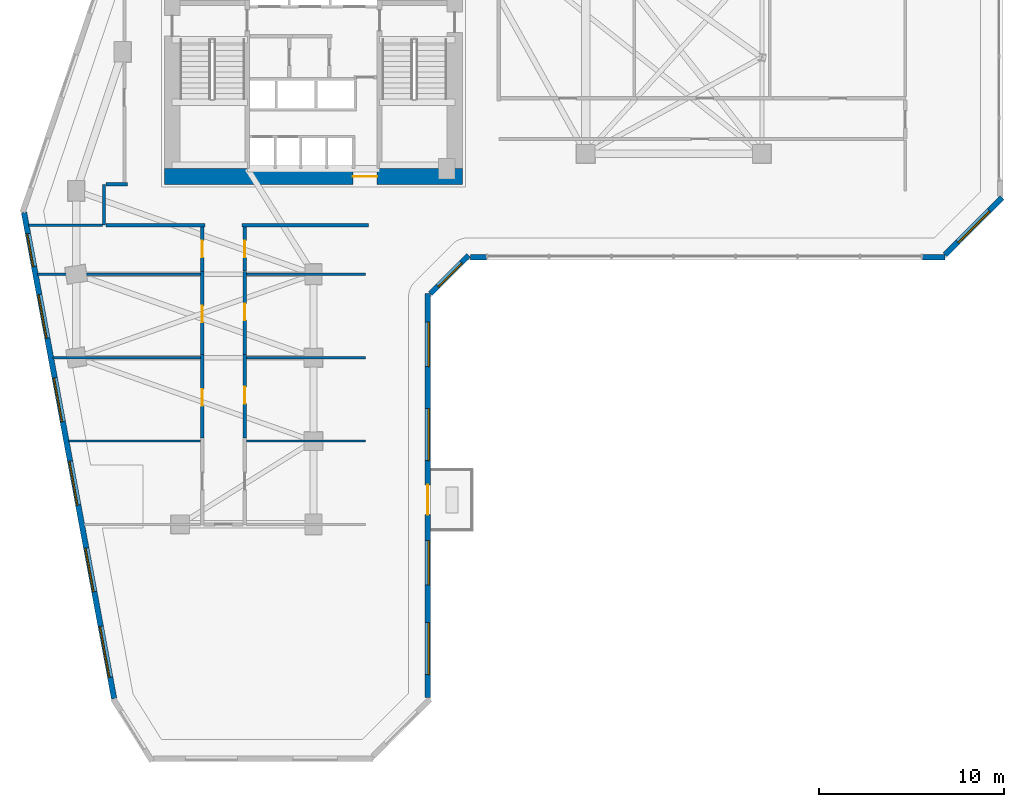
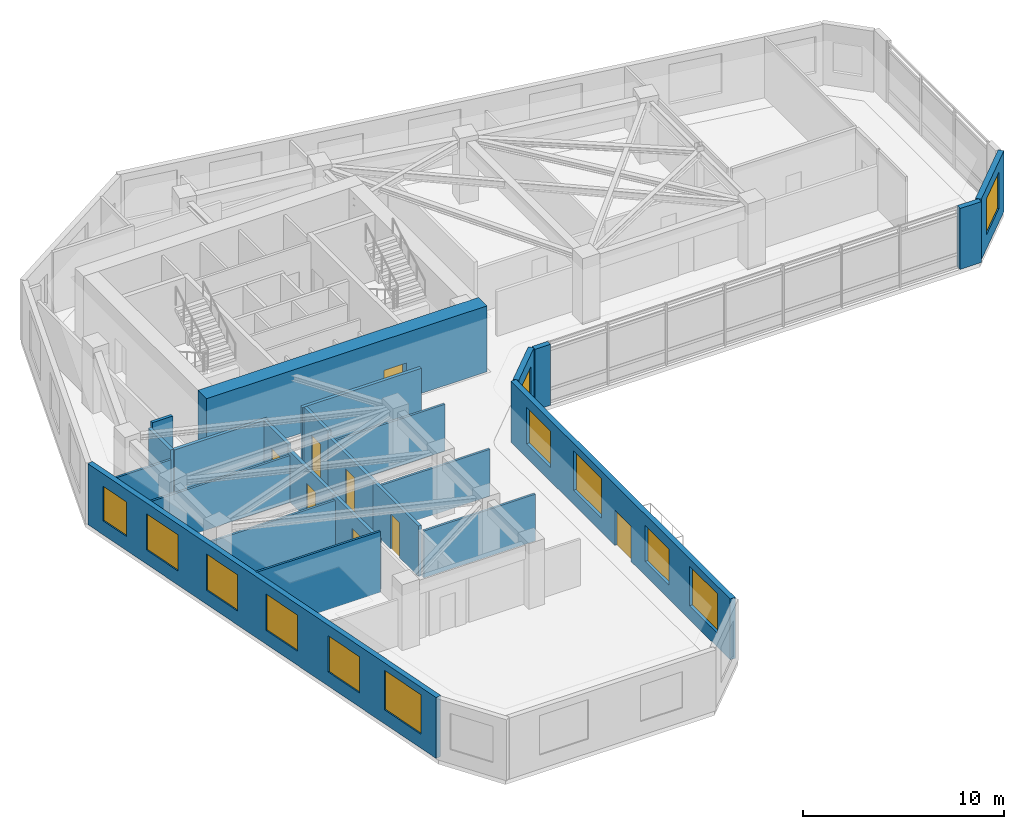
# One storey, part 6 of 11: 24 walls, 12 windows, 8 doors, 20 openings.
"""IFC4 building model written with IfcOpenShell, lengths in metres."""

from ifc_helpers import new_model, si_unit, direction, frame, frame_2d, origin, place, context, subcontext, project, spatial, rectangle, extrude, source, transform, mapped, material, layer, layer_set, type_object, element, fill, save


model = new_model("IFC4")

# Units and contexts
model_context = context("Model", 3, precision=1e-05, world=origin(), true_north=direction((0.0, 1.0)))
body_context = subcontext(model_context, "Body", "Model", "MODEL_VIEW")
ifc_project = project(units=[si_unit("LENGTHUNIT", "METRE"), si_unit("AREAUNIT", "SQUARE_METRE"), si_unit("VOLUMEUNIT", "CUBIC_METRE"), si_unit("PLANEANGLEUNIT", "RADIAN"), si_unit("MASSUNIT", "GRAM", prefix="KILO")], contexts=[model_context])

# Site, building, storey
site_placement = place(None, origin())
site = spatial("IfcSite", under=ifc_project, at=site_placement, CompositionType="ELEMENT")
building_placement = place(site_placement, origin())
building = spatial("IfcBuilding", under=site, at=building_placement, Name="Calvemar Wedge Station Tower", CompositionType="ELEMENT")
storey_placement = place(building_placement, frame((0.0, 0.0, 59.0)))
storey = spatial("IfcBuildingStorey", under=building, at=storey_placement, Name="L14", CompositionType="ELEMENT", Elevation=59.0)

# Wall, opening, door
ifc_material_1 = material(Name="Concrete C80", Category="concrete")
ifc_layer_1 = layer(ifc_material_1, 0.85009765625)
ifc_layer_set_1 = layer_set([ifc_layer_1], Name="Concrete C80")
wall_type_1 = type_object("IfcWallType", Name="SW-CORE-850", PredefinedType="SHEAR", material=ifc_layer_set_1)
wall_1_placement = place(storey_placement, frame((15.75, 33.77490234375, 0.0), z_axis=(0.0, 0.0, 1.0), x_axis=(1.0, 0.0, 0.0)))
wall_1 = element("IfcWall", 1, at=wall_1_placement, inside=storey, type_object=wall_type_1, Name="Storey L14 Core Shear Wall S", PredefinedType="SHEAR", context=body_context, shape_type="SweptSolid", body=[
    extrude(rectangle(XDim=16.10009765625, YDim=0.85009765625, at=frame_2d((8.050048828125, 0.0))), origin(), (0.0, 0.0, 1.0), 4.0),
])
shared_shape_1 = source(origin(), body_context, "Body", "SweptSolid", [
    extrude(rectangle(XDim=1.300048828125, YDim=2.14990234375, at=frame_2d((0.64990234375, 1.074951171875))), frame((0.0, 0.43505859375, 0.0), z_axis=(0.0, -1.0, 0.0), x_axis=(1.0, 0.0, 0.0)), (0.0, 0.0, 1.0), 0.8701171875),
])
opening_1_placement = place(wall_1_placement, frame((10.179931640625, 0.0, 0.0)))
opening_1 = element("IfcOpeningElement", 2, at=opening_1_placement, cuts=wall_1, Name="Opening DD-130", PredefinedType="OPENING", context=body_context, shape_type="MappedRepresentation", body=[
    mapped(shared_shape_1, transform((0.0, 0.0, 0.0), scale=1.0)),
])
ifc_material_2 = material(Name="Double-leaf lift lobby fire door EI 60")
door_type_1 = type_object("IfcDoorType", Name="DR-DBL-1300", OperationType="DOUBLE_DOOR_SINGLE_SWING", PredefinedType="DOOR", material=ifc_material_2)
shared_shape_2 = source(origin(), body_context, "Body", "SweptSolid", [
    extrude(rectangle(XDim=1.300048828125, YDim=2.14990234375, at=frame_2d((0.64990234375, 1.074951171875))), frame((0.0, 0.02490234375, 0.0), z_axis=(0.0, -1.0, 0.0), x_axis=(1.0, 0.0, 0.0)), (0.0, 0.0, 1.0), 0.050048828125),
])
door_1_placement = place(opening_1_placement, origin())
door_1 = element("IfcDoor", 3, at=door_1_placement, inside=storey, type_object=door_type_1, Name="L14 Passenger Lift Lobby Door", OperationType="DOUBLE_DOOR_SINGLE_SWING", OverallHeight=2.14990234375, OverallWidth=1.300048828125, PredefinedType="DOOR", context=body_context, shape_type="MappedRepresentation", body=[
    mapped(shared_shape_2, transform((0.0, 0.0, 0.0), scale=1.0)),
])
fill(opening_1, door_1)

# Walls
ifc_material_3 = material(Name="Double-stud fire-rated corridor partition")
ifc_layer_2 = layer(ifc_material_3, 0.179931640625)
ifc_layer_set_2 = layer_set([ifc_layer_2], Name="Double-stud fire-rated corridor partition")
wall_type_2 = type_object("IfcWallType", Name="W-CORR-180", PredefinedType="PARTITIONING", material=ifc_layer_set_2)
wall_2_placement = place(storey_placement, frame((12.5, 31.14990234375, 0.0), z_axis=(0.0, 0.0, 1.0), x_axis=(0.0, 1.0, 0.0)))
element("IfcWall", 4, at=wall_2_placement, inside=storey, type_object=wall_type_2, Name="Storey L14 Interior Partition WL-L14-006", PredefinedType="PARTITIONING", context=body_context, shape_type="SweptSolid", body=[
    extrude(rectangle(XDim=2.2001953125, YDim=0.179931640625, at=frame_2d((1.10009765625, 0.0))), origin(), (0.0, 0.0, 1.0), 3.384033203125),
])
wall_3_placement = place(storey_placement, frame((12.593994140625, 33.35009765625, 0.0), z_axis=(0.0, 0.0, 1.0), x_axis=(1.0, 0.0, 0.0)))
element("IfcWall", 5, at=wall_3_placement, inside=storey, type_object=wall_type_2, Name="Storey L14 Interior Partition WL-L14-007", PredefinedType="PARTITIONING", context=body_context, shape_type="SweptSolid", body=[
    extrude(rectangle(XDim=1.166015625, YDim=0.179931640625, at=frame_2d((0.5830078125, 0.0))), origin(), (0.0, 0.0, 1.0), 3.699951171875),
])
wall_4_placement = place(storey_placement, frame((17.9599609375, 31.14990234375, 0.0), z_axis=(0.0, 0.0, 1.0), x_axis=(-1.0, 0.0, 0.0)))
element("IfcWall", 6, at=wall_4_placement, inside=storey, type_object=wall_type_2, Name="Storey L14 Interior Partition WL-L14-008", PredefinedType="PARTITIONING", context=body_context, shape_type="SweptSolid", body=[
    extrude(rectangle(XDim=5.365966796875, YDim=0.179931640625, at=frame_2d((2.68310546875, 0.0))), origin(), (0.0, 0.0, 1.0), 3.384033203125),
])
wall_5_placement = place(storey_placement, frame((26.760009765625, 31.14990234375, 0.0), z_axis=(0.0, 0.0, 1.0), x_axis=(-1.0, 0.0, 0.0)))
element("IfcWall", 7, at=wall_5_placement, inside=storey, type_object=wall_type_2, Name="Storey L14 Interior Partition WL-L14-009", PredefinedType="PARTITIONING", context=body_context, shape_type="SweptSolid", body=[
    extrude(rectangle(XDim=6.820068359375, YDim=0.179931640625, at=frame_2d((3.41015625, 0.0))), origin(), (0.0, 0.0, 1.0), 3.384033203125),
])

# Wall, opening, door
wall_6_placement = place(storey_placement, frame((17.800048828125, 19.662109375, 0.0), z_axis=(0.0, 0.0, 1.0), x_axis=(0.0, 1.0, 0.0)))
wall_6 = element("IfcWall", 8, at=wall_6_placement, inside=storey, type_object=wall_type_2, Name="Storey L14 Interior Partition WL-L14-031", PredefinedType="PARTITIONING", context=body_context, shape_type="SweptSolid", body=[
    extrude(rectangle(XDim=4.497802734375, YDim=0.179931640625, at=frame_2d((2.2490234375, 0.0))), origin(), (0.0, 0.0, 1.0), 3.074951171875),
])
shared_shape_3 = source(origin(), body_context, "Body", "SweptSolid", [
    extrude(rectangle(XDim=0.89990234375, YDim=2.14990234375, at=frame_2d((0.449951171875, 1.074951171875))), frame((0.0, 0.10009765625, 0.0), z_axis=(0.0, -1.0, 0.0), x_axis=(1.0, 0.0, 0.0)), (0.0, 0.0, 1.0), 0.199951171875),
])
opening_2_placement = place(wall_6_placement, frame((1.73828125, 0.0, 0.0)))
opening_2 = element("IfcOpeningElement", 9, at=opening_2_placement, cuts=wall_6, Name="Opening D-01", PredefinedType="OPENING", context=body_context, shape_type="MappedRepresentation", body=[
    mapped(shared_shape_3, transform((0.0, 0.0, 0.0), scale=1.0)),
])
ifc_material_4 = material(Name="Architectural hardwood acoustic swing door", Category="wood")
door_type_2 = type_object("IfcDoorType", Name="DR-INT-900", OperationType="NOTDEFINED", PredefinedType="DOOR", material=ifc_material_4)
shared_shape_4 = source(origin(), body_context, "Body", "SweptSolid", [
    extrude(rectangle(XDim=0.89990234375, YDim=2.14990234375, at=frame_2d((0.449951171875, 1.074951171875))), frame((0.0, 0.02490234375, 0.0), z_axis=(0.0, -1.0, 0.0), x_axis=(1.0, 0.0, 0.0)), (0.0, 0.0, 1.0), 0.050048828125),
])
door_2_placement = place(opening_2_placement, origin())
door_2 = element("IfcDoor", 10, at=door_2_placement, inside=storey, type_object=door_type_2, Name="L14 Office Door", OperationType="SINGLE_SWING_LEFT", OverallHeight=2.14990234375, OverallWidth=0.89990234375, PredefinedType="DOOR", context=body_context, shape_type="MappedRepresentation", body=[
    mapped(shared_shape_4, transform((0.0, 0.0, 0.0), scale=1.0)),
])
fill(opening_2, door_2)

wall_7_placement = place(storey_placement, frame((20.10009765625, 24.159912109375, 0.0), z_axis=(0.0, 0.0, 1.0), x_axis=(0.0, -1.0, 0.0)))
wall_7 = element("IfcWall", 11, at=wall_7_placement, inside=storey, type_object=wall_type_2, Name="Storey L14 Interior Partition WL-L14-032", PredefinedType="PARTITIONING", context=body_context, shape_type="SweptSolid", body=[
    extrude(rectangle(XDim=4.497802734375, YDim=0.179931640625, at=frame_2d((2.2490234375, 0.0))), origin(), (0.0, 0.0, 1.0), 3.074951171875),
])
opening_3_placement = place(wall_7_placement, frame((1.73828125, 0.0, 0.0)))
opening_3 = element("IfcOpeningElement", 12, at=opening_3_placement, cuts=wall_7, Name="Opening D-01", PredefinedType="OPENING", context=body_context, shape_type="MappedRepresentation", body=[
    mapped(shared_shape_3, transform((0.0, 0.0, 0.0), scale=1.0)),
])
door_3_placement = place(opening_3_placement, origin())
door_3 = element("IfcDoor", 13, at=door_3_placement, inside=storey, type_object=door_type_2, Name="L14 Office Door", OperationType="SINGLE_SWING_RIGHT", OverallHeight=2.14990234375, OverallWidth=0.89990234375, PredefinedType="DOOR", context=body_context, shape_type="MappedRepresentation", body=[
    mapped(shared_shape_4, transform((0.0, 0.0, 0.0), scale=1.0)),
])
fill(opening_3, door_3)

wall_8_placement = place(storey_placement, frame((17.800048828125, 24.162109375, 0.0), z_axis=(0.0, 0.0, 1.0), x_axis=(0.0, 1.0, 0.0)))
wall_8 = element("IfcWall", 14, at=wall_8_placement, inside=storey, type_object=wall_type_2, Name="Storey L14 Interior Partition WL-L14-033", PredefinedType="PARTITIONING", context=body_context, shape_type="SweptSolid", body=[
    extrude(rectangle(XDim=4.497802734375, YDim=0.179931640625, at=frame_2d((2.2490234375, 0.0))), origin(), (0.0, 0.0, 1.0), 3.074951171875),
])
opening_4_placement = place(wall_8_placement, frame((1.73828125, 0.0, 0.0)))
opening_4 = element("IfcOpeningElement", 15, at=opening_4_placement, cuts=wall_8, Name="Opening D-01", PredefinedType="OPENING", context=body_context, shape_type="MappedRepresentation", body=[
    mapped(shared_shape_3, transform((0.0, 0.0, 0.0), scale=1.0)),
])
door_4_placement = place(opening_4_placement, origin())
door_4 = element("IfcDoor", 16, at=door_4_placement, inside=storey, type_object=door_type_2, Name="L14 Office Door", OperationType="SINGLE_SWING_LEFT", OverallHeight=2.14990234375, OverallWidth=0.89990234375, PredefinedType="DOOR", context=body_context, shape_type="MappedRepresentation", body=[
    mapped(shared_shape_4, transform((0.0, 0.0, 0.0), scale=1.0)),
])
fill(opening_4, door_4)

wall_9_placement = place(storey_placement, frame((20.10009765625, 28.659912109375, 0.0), z_axis=(0.0, 0.0, 1.0), x_axis=(0.0, -1.0, 0.0)))
wall_9 = element("IfcWall", 17, at=wall_9_placement, inside=storey, type_object=wall_type_2, Name="Storey L14 Interior Partition WL-L14-034", PredefinedType="PARTITIONING", context=body_context, shape_type="SweptSolid", body=[
    extrude(rectangle(XDim=4.497802734375, YDim=0.179931640625, at=frame_2d((2.2490234375, 0.0))), origin(), (0.0, 0.0, 1.0), 3.074951171875),
])
opening_5_placement = place(wall_9_placement, frame((1.73828125, 0.0, 0.0)))
opening_5 = element("IfcOpeningElement", 18, at=opening_5_placement, cuts=wall_9, Name="Opening D-01", PredefinedType="OPENING", context=body_context, shape_type="MappedRepresentation", body=[
    mapped(shared_shape_3, transform((0.0, 0.0, 0.0), scale=1.0)),
])
door_5_placement = place(opening_5_placement, origin())
door_5 = element("IfcDoor", 19, at=door_5_placement, inside=storey, type_object=door_type_2, Name="L14 Office Door", OperationType="SINGLE_SWING_RIGHT", OverallHeight=2.14990234375, OverallWidth=0.89990234375, PredefinedType="DOOR", context=body_context, shape_type="MappedRepresentation", body=[
    mapped(shared_shape_4, transform((0.0, 0.0, 0.0), scale=1.0)),
])
fill(opening_5, door_5)

wall_10_placement = place(storey_placement, frame((17.800048828125, 28.662109375, 0.0), z_axis=(0.0, 0.0, 1.0), x_axis=(0.0, 1.0, 0.0)))
wall_10 = element("IfcWall", 20, at=wall_10_placement, inside=storey, type_object=wall_type_2, Name="Storey L14 Interior Partition WL-L14-035", PredefinedType="PARTITIONING", context=body_context, shape_type="SweptSolid", body=[
    extrude(rectangle(XDim=2.393798828125, YDim=0.179931640625, at=frame_2d((1.19677734375, 0.0))), origin(), (0.0, 0.0, 1.0), 3.384033203125),
])
opening_6_placement = place(wall_10_placement, frame((0.7470703125, 0.0, 0.0)))
opening_6 = element("IfcOpeningElement", 21, at=opening_6_placement, cuts=wall_10, Name="Opening D-01", PredefinedType="OPENING", context=body_context, shape_type="MappedRepresentation", body=[
    mapped(shared_shape_3, transform((0.0, 0.0, 0.0), scale=1.0)),
])
door_6_placement = place(opening_6_placement, origin())
door_6 = element("IfcDoor", 22, at=door_6_placement, inside=storey, type_object=door_type_2, Name="L14 Office Door", OperationType="SINGLE_SWING_LEFT", OverallHeight=2.14990234375, OverallWidth=0.89990234375, PredefinedType="DOOR", context=body_context, shape_type="MappedRepresentation", body=[
    mapped(shared_shape_4, transform((0.0, 0.0, 0.0), scale=1.0)),
])
fill(opening_6, door_6)

wall_11_placement = place(storey_placement, frame((20.10009765625, 31.055908203125, 0.0), z_axis=(0.0, 0.0, 1.0), x_axis=(0.0, -1.0, 0.0)))
wall_11 = element("IfcWall", 23, at=wall_11_placement, inside=storey, type_object=wall_type_2, Name="Storey L14 Interior Partition WL-L14-036", PredefinedType="PARTITIONING", context=body_context, shape_type="SweptSolid", body=[
    extrude(rectangle(XDim=2.393798828125, YDim=0.179931640625, at=frame_2d((1.19677734375, 0.0))), origin(), (0.0, 0.0, 1.0), 3.384033203125),
])
opening_7_placement = place(wall_11_placement, frame((0.7470703125, 0.0, 0.0)))
opening_7 = element("IfcOpeningElement", 24, at=opening_7_placement, cuts=wall_11, Name="Opening D-01", PredefinedType="OPENING", context=body_context, shape_type="MappedRepresentation", body=[
    mapped(shared_shape_3, transform((0.0, 0.0, 0.0), scale=1.0)),
])
door_7_placement = place(opening_7_placement, origin())
door_7 = element("IfcDoor", 25, at=door_7_placement, inside=storey, type_object=door_type_2, Name="L14 Office Door", OperationType="SINGLE_SWING_RIGHT", OverallHeight=2.14990234375, OverallWidth=0.89990234375, PredefinedType="DOOR", context=body_context, shape_type="MappedRepresentation", body=[
    mapped(shared_shape_4, transform((0.0, 0.0, 0.0), scale=1.0)),
])
fill(opening_7, door_7)

# Wall, openings, windows, door
ifc_material_5 = material(Name="Precast concrete C45", Category="concrete")
ifc_layer_3 = layer(ifc_material_5, 0.300048828125)
ifc_layer_set_3 = layer_set([ifc_layer_3], Name="Precast concrete C45")
wall_type_3 = type_object("IfcWallType", Name="W-EXT-GFRC-300", PredefinedType="SOLIDWALL", material=ifc_layer_set_3)
wall_12_placement = place(storey_placement, frame((29.97802734375, 5.6572265625, 0.0), z_axis=(0.0, 0.0, 1.0), x_axis=(0.0, 1.0, 0.0)))
wall_12 = element("IfcWall", 26, at=wall_12_placement, inside=storey, type_object=wall_type_3, Name="Storey L14 Bronze GFRC Exterior Wall 4", PredefinedType="SOLIDWALL", context=body_context, shape_type="SweptSolid", body=[
    extrude(rectangle(XDim=21.81494140625, YDim=0.300048828125, at=frame_2d((10.907470703125, 0.0))), origin(), (0.0, 0.0, 1.0), 3.699951171875),
])
shared_shape_5 = source(origin(), body_context, "Body", "SweptSolid", [
    extrude(rectangle(XDim=1.60009765625, YDim=2.14990234375, at=frame_2d((0.800048828125, 1.074951171875))), frame((0.0, 0.16015625, 0.0), z_axis=(0.0, -1.0, 0.0), x_axis=(1.0, 0.0, 0.0)), (0.0, 0.0, 1.0), 0.320068359375),
])
opening_8_placement = place(wall_12_placement, frame((9.873046875, 0.0, 0.0)))
opening_8 = element("IfcOpeningElement", 27, at=opening_8_placement, cuts=wall_12, Name="Opening DT1", PredefinedType="OPENING", context=body_context, shape_type="MappedRepresentation", body=[
    mapped(shared_shape_5, transform((0.0, 0.0, 0.0), scale=1.0)),
])
shared_shape_6 = source(origin(), body_context, "Body", "SweptSolid", [
    extrude(rectangle(XDim=2.800048828125, YDim=2.39990234375, at=frame_2d((1.39990234375, 1.199951171875))), frame((0.0, 0.16015625, 0.0), z_axis=(0.0, -1.0, 0.0), x_axis=(1.0, 0.0, 0.0)), (0.0, 0.0, 1.0), 0.320068359375),
])
opening_9_placement = place(wall_12_placement, frame((1.238037109375, 0.0, 0.85009765625)))
opening_9 = element("IfcOpeningElement", 28, at=opening_9_placement, cuts=wall_12, Name="Opening W6", PredefinedType="OPENING", context=body_context, shape_type="MappedRepresentation", body=[
    mapped(shared_shape_6, transform((0.0, 0.0, 0.0), scale=1.0)),
])
shared_shape_7 = source(origin(), body_context, "Body", "SweptSolid", [
    extrude(rectangle(XDim=2.39990234375, YDim=2.199951171875, at=frame_2d((1.199951171875, 1.10009765625))), frame((0.0, 0.16015625, 0.0), z_axis=(0.0, -1.0, 0.0), x_axis=(1.0, 0.0, 0.0)), (0.0, 0.0, 1.0), 0.320068359375),
])
opening_10_placement = place(wall_12_placement, frame((6.074951171875, 0.0, 0.85009765625)))
opening_10 = element("IfcOpeningElement", 29, at=opening_10_placement, cuts=wall_12, Name="Opening W1", PredefinedType="OPENING", context=body_context, shape_type="MappedRepresentation", body=[
    mapped(shared_shape_7, transform((0.0, 0.0, 0.0), scale=1.0)),
])
opening_11_placement = place(wall_12_placement, frame((12.7880859375, 0.0, 0.85009765625)))
opening_11 = element("IfcOpeningElement", 30, at=opening_11_placement, cuts=wall_12, Name="Opening W6", PredefinedType="OPENING", context=body_context, shape_type="MappedRepresentation", body=[
    mapped(shared_shape_6, transform((0.0, 0.0, 0.0), scale=1.0)),
])
opening_12_placement = place(wall_12_placement, frame((17.85888671875, 0.0, 0.85009765625)))
opening_12 = element("IfcOpeningElement", 31, at=opening_12_placement, cuts=wall_12, Name="Opening W1", PredefinedType="OPENING", context=body_context, shape_type="MappedRepresentation", body=[
    mapped(shared_shape_7, transform((0.0, 0.0, 0.0), scale=1.0)),
])
ifc_material_6 = material(Name="Low-E laminated insulated glass", Category="glass")
window_type_1 = type_object("IfcWindowType", Name="WIN-EXT-6", PartitioningType="SINGLE_PANEL", PredefinedType="WINDOW", material=ifc_material_6)
shared_shape_8 = source(origin(), body_context, "Body", "SweptSolid", [
    extrude(rectangle(XDim=2.800048828125, YDim=2.39990234375, at=frame_2d((1.39990234375, 1.199951171875))), frame((0.0, -0.014892578125, 0.0), z_axis=(0.0, -1.0, 0.0), x_axis=(1.0, 0.0, 0.0)), (0.0, 0.0, 1.0), 0.06005859375),
])
window_1_placement = place(opening_9_placement, origin())
window_1 = element("IfcWindow", 32, at=window_1_placement, inside=storey, type_object=window_type_1, Name="Storey L14 Recessed Window 4.1", OverallHeight=2.39990234375, OverallWidth=2.800048828125, PartitioningType="SINGLE_PANEL", PredefinedType="WINDOW", context=body_context, shape_type="MappedRepresentation", body=[
    mapped(shared_shape_8, transform((0.0, 0.0, 0.0), scale=1.0)),
])
fill(opening_9, window_1)
window_2_placement = place(opening_11_placement, origin())
window_2 = element("IfcWindow", 33, at=window_2_placement, inside=storey, type_object=window_type_1, Name="Storey L14 Recessed Window 4.3", OverallHeight=2.39990234375, OverallWidth=2.800048828125, PartitioningType="SINGLE_PANEL", PredefinedType="WINDOW", context=body_context, shape_type="MappedRepresentation", body=[
    mapped(shared_shape_8, transform((0.0, 0.0, 0.0), scale=1.0)),
])
fill(opening_11, window_2)
window_type_2 = type_object("IfcWindowType", Name="WIN-EXT-1", PartitioningType="SINGLE_PANEL", PredefinedType="WINDOW", material=ifc_material_6)
shared_shape_9 = source(origin(), body_context, "Body", "SweptSolid", [
    extrude(rectangle(XDim=2.39990234375, YDim=2.199951171875, at=frame_2d((1.199951171875, 1.10009765625))), frame((0.0, -0.014892578125, 0.0), z_axis=(0.0, -1.0, 0.0), x_axis=(1.0, 0.0, 0.0)), (0.0, 0.0, 1.0), 0.06005859375),
])
window_3_placement = place(opening_10_placement, origin())
window_3 = element("IfcWindow", 34, at=window_3_placement, inside=storey, type_object=window_type_2, Name="Storey L14 Recessed Window 4.2", OverallHeight=2.199951171875, OverallWidth=2.39990234375, PartitioningType="SINGLE_PANEL", PredefinedType="WINDOW", context=body_context, shape_type="MappedRepresentation", body=[
    mapped(shared_shape_9, transform((0.0, 0.0, 0.0), scale=1.0)),
])
fill(opening_10, window_3)
window_4_placement = place(opening_12_placement, origin())
window_4 = element("IfcWindow", 35, at=window_4_placement, inside=storey, type_object=window_type_2, Name="Storey L14 Recessed Window 4.4", OverallHeight=2.199951171875, OverallWidth=2.39990234375, PartitioningType="SINGLE_PANEL", PredefinedType="WINDOW", context=body_context, shape_type="MappedRepresentation", body=[
    mapped(shared_shape_9, transform((0.0, 0.0, 0.0), scale=1.0)),
])
fill(opening_12, window_4)
ifc_material_7 = material(Name="Anodised aluminium 6063-T6", Category="aluminium")
door_type_3 = type_object("IfcDoorType", Name="DR-TERR-1600", OperationType="DOUBLE_DOOR_SLIDING", PredefinedType="DOOR", material=ifc_material_7)
shared_shape_10 = source(origin(), body_context, "Body", "SweptSolid", [
    extrude(rectangle(XDim=1.60009765625, YDim=2.14990234375, at=frame_2d((0.800048828125, 1.074951171875))), frame((0.0, 0.02490234375, 0.0), z_axis=(0.0, -1.0, 0.0), x_axis=(1.0, 0.0, 0.0)), (0.0, 0.0, 1.0), 0.050048828125),
])
door_8_placement = place(opening_8_placement, origin())
door_8 = element("IfcDoor", 36, at=door_8_placement, inside=storey, type_object=door_type_3, Name="Storey L14 Spiral Terrace Door", OperationType="DOUBLE_DOOR_SLIDING", OverallHeight=2.14990234375, OverallWidth=1.60009765625, PredefinedType="DOOR", context=body_context, shape_type="MappedRepresentation", body=[
    mapped(shared_shape_10, transform((0.0, 0.0, 0.0), scale=1.0)),
])
fill(opening_8, door_8)

# Wall, opening, window
wall_13_placement = place(storey_placement, frame((30.115966796875, 27.460205078125, 0.0), z_axis=(0.0, 0.0, 1.0), x_axis=(0.707106781187, 0.707106781187, 0.0)))
wall_13 = element("IfcWall", 37, at=wall_13_placement, inside=storey, type_object=wall_type_3, Name="Storey L14 Bronze GFRC Exterior Wall 5", PredefinedType="SOLIDWALL", context=body_context, shape_type="SweptSolid", body=[
    extrude(rectangle(XDim=2.907470703125, YDim=0.300048828125, at=frame_2d((1.45361328125, 0.0))), origin(), (0.0, 0.0, 1.0), 3.699951171875),
])
shared_shape_11 = source(origin(), body_context, "Body", "SweptSolid", [
    extrude(rectangle(XDim=1.800048828125, YDim=2.10009765625, at=frame_2d((0.89990234375, 1.050048828125))), frame((0.0, 0.16015625, 0.0), z_axis=(0.0, -1.0, 0.0), x_axis=(1.0, 0.0, 0.0)), (0.0, 0.0, 1.0), 0.320068359375),
])
opening_13_placement = place(wall_13_placement, frame((0.553955078125, 0.0, 0.85009765625)))
opening_13 = element("IfcOpeningElement", 38, at=opening_13_placement, cuts=wall_13, Name="Opening W2", PredefinedType="OPENING", context=body_context, shape_type="MappedRepresentation", body=[
    mapped(shared_shape_11, transform((0.0, 0.0, 0.0), scale=1.0)),
])
window_type_3 = type_object("IfcWindowType", Name="WIN-EXT-2", PartitioningType="SINGLE_PANEL", PredefinedType="WINDOW", material=ifc_material_6)
shared_shape_12 = source(origin(), body_context, "Body", "SweptSolid", [
    extrude(rectangle(XDim=1.800048828125, YDim=2.10009765625, at=frame_2d((0.89990234375, 1.050048828125))), frame((0.0, -0.014892578125, 0.0), z_axis=(0.0, -1.0, 0.0), x_axis=(1.0, 0.0, 0.0)), (0.0, 0.0, 1.0), 0.06005859375),
])
window_5_placement = place(opening_13_placement, origin())
window_5 = element("IfcWindow", 39, at=window_5_placement, inside=storey, type_object=window_type_3, Name="Storey L14 Recessed Window 5.1", OverallHeight=2.10009765625, OverallWidth=1.800048828125, PartitioningType="SINGLE_PANEL", PredefinedType="WINDOW", context=body_context, shape_type="MappedRepresentation", body=[
    mapped(shared_shape_12, transform((0.0, 0.0, 0.0), scale=1.0)),
])
fill(opening_13, window_5)

# Walls
wall_14_placement = place(storey_placement, frame((32.260986328125, 29.409912109375, 0.0), z_axis=(0.0, 0.0, 1.0), x_axis=(1.0, 0.0, 0.0)))
element("IfcWall", 40, at=wall_14_placement, inside=storey, type_object=wall_type_3, Name="Storey L14 Bronze GFRC Corner Pier 6A", PredefinedType="SOLIDWALL", context=body_context, shape_type="SweptSolid", body=[
    extrude(rectangle(XDim=0.8798828125, YDim=0.300048828125, at=frame_2d((0.43994140625, 0.0))), origin(), (0.0, 0.0, 1.0), 3.699951171875),
])
wall_15_placement = place(storey_placement, frame((56.662841796875, 29.409912109375, 0.0), z_axis=(0.0, 0.0, 1.0), x_axis=(1.0, 0.0, 0.0)))
element("IfcWall", 41, at=wall_15_placement, inside=storey, type_object=wall_type_3, Name="Storey L14 Bronze GFRC Corner Pier 6B", PredefinedType="SOLIDWALL", context=body_context, shape_type="SweptSolid", body=[
    extrude(rectangle(XDim=1.22509765625, YDim=0.300048828125, at=frame_2d((0.612548828125, 0.0))), origin(), (0.0, 0.0, 1.0), 3.699951171875),
])

# Wall, opening, window
wall_16_placement = place(storey_placement, frame((57.8759765625, 29.548095703125, 0.0), z_axis=(0.0, 0.0, 1.0), x_axis=(0.707106781187, 0.707106781187, 0.0)))
wall_16 = element("IfcWall", 42, at=wall_16_placement, inside=storey, type_object=wall_type_3, Name="Storey L14 Bronze GFRC Exterior Wall 7", PredefinedType="SOLIDWALL", context=body_context, shape_type="SweptSolid", body=[
    extrude(rectangle(XDim=4.35595703125, YDim=0.300048828125, at=frame_2d((2.177978515625, 0.0))), origin(), (0.0, 0.0, 1.0), 3.699951171875),
])
opening_14_placement = place(wall_16_placement, frame((0.97802734375, 0.0, 0.85009765625)))
opening_14 = element("IfcOpeningElement", 43, at=opening_14_placement, cuts=wall_16, Name="Opening W1", PredefinedType="OPENING", context=body_context, shape_type="MappedRepresentation", body=[
    mapped(shared_shape_7, transform((0.0, 0.0, 0.0), scale=1.0)),
])
window_6_placement = place(opening_14_placement, origin())
window_6 = element("IfcWindow", 44, at=window_6_placement, inside=storey, type_object=window_type_2, Name="Storey L14 Recessed Window 7.1", OverallHeight=2.199951171875, OverallWidth=2.39990234375, PartitioningType="SINGLE_PANEL", PredefinedType="WINDOW", context=body_context, shape_type="MappedRepresentation", body=[
    mapped(shared_shape_9, transform((0.0, 0.0, 0.0), scale=1.0)),
])
fill(opening_14, window_6)

# Wall, openings, windows
wall_17_placement = place(storey_placement, frame((8.183349609375, 31.83349609375, 0.0), z_axis=(0.0, 0.0, 1.0), x_axis=(0.18216364648, -0.983268226834, 0.0)))
wall_17 = element("IfcWall", 45, at=wall_17_placement, inside=storey, type_object=wall_type_3, Name="Storey L14 Bronze GFRC Exterior Wall 13", PredefinedType="SOLIDWALL", context=body_context, shape_type="SweptSolid", body=[
    extrude(rectangle(XDim=26.678466796875, YDim=0.300048828125, at=frame_2d((13.33935546875, 0.0))), origin(), (0.0, 0.0, 1.0), 3.699951171875),
])
opening_15_placement = place(wall_17_placement, frame((1.1640625, 0.0, 0.85009765625)))
opening_15 = element("IfcOpeningElement", 46, at=opening_15_placement, cuts=wall_17, Name="Opening W2", PredefinedType="OPENING", context=body_context, shape_type="MappedRepresentation", body=[
    mapped(shared_shape_11, transform((0.0, 0.0, 0.0), scale=1.0)),
])
opening_16_placement = place(wall_17_placement, frame((4.5, 0.0, 0.85009765625)))
opening_16 = element("IfcOpeningElement", 47, at=opening_16_placement, cuts=wall_17, Name="Opening W1", PredefinedType="OPENING", context=body_context, shape_type="MappedRepresentation", body=[
    mapped(shared_shape_7, transform((0.0, 0.0, 0.0), scale=1.0)),
])
opening_17_placement = place(wall_17_placement, frame((9.075927734375, 0.0, 0.85009765625)))
opening_17 = element("IfcOpeningElement", 48, at=opening_17_placement, cuts=wall_17, Name="Opening W1", PredefinedType="OPENING", context=body_context, shape_type="MappedRepresentation", body=[
    mapped(shared_shape_7, transform((0.0, 0.0, 0.0), scale=1.0)),
])
opening_18_placement = place(wall_17_placement, frame((13.653076171875, 0.0, 0.85009765625)))
opening_18 = element("IfcOpeningElement", 49, at=opening_18_placement, cuts=wall_17, Name="Opening W1", PredefinedType="OPENING", context=body_context, shape_type="MappedRepresentation", body=[
    mapped(shared_shape_7, transform((0.0, 0.0, 0.0), scale=1.0)),
])
opening_19_placement = place(wall_17_placement, frame((18.410888671875, 0.0, 0.85009765625)))
opening_19 = element("IfcOpeningElement", 50, at=opening_19_placement, cuts=wall_17, Name="Opening W1", PredefinedType="OPENING", context=body_context, shape_type="MappedRepresentation", body=[
    mapped(shared_shape_7, transform((0.0, 0.0, 0.0), scale=1.0)),
])
opening_20_placement = place(wall_17_placement, frame((22.708984375, 0.0, 0.85009765625)))
opening_20 = element("IfcOpeningElement", 51, at=opening_20_placement, cuts=wall_17, Name="Opening W6", PredefinedType="OPENING", context=body_context, shape_type="MappedRepresentation", body=[
    mapped(shared_shape_6, transform((0.0, 0.0, 0.0), scale=1.0)),
])
window_7_placement = place(opening_15_placement, origin())
window_7 = element("IfcWindow", 52, at=window_7_placement, inside=storey, type_object=window_type_3, Name="Storey L14 Recessed Window 13.1", OverallHeight=2.10009765625, OverallWidth=1.800048828125, PartitioningType="SINGLE_PANEL", PredefinedType="WINDOW", context=body_context, shape_type="MappedRepresentation", body=[
    mapped(shared_shape_12, transform((0.0, 0.0, 0.0), scale=1.0)),
])
fill(opening_15, window_7)
window_8_placement = place(opening_20_placement, origin())
window_8 = element("IfcWindow", 53, at=window_8_placement, inside=storey, type_object=window_type_1, Name="Storey L14 Recessed Window 13.6", OverallHeight=2.39990234375, OverallWidth=2.800048828125, PartitioningType="SINGLE_PANEL", PredefinedType="WINDOW", context=body_context, shape_type="MappedRepresentation", body=[
    mapped(shared_shape_8, transform((0.0, 0.0, 0.0), scale=1.0)),
])
fill(opening_20, window_8)
window_9_placement = place(opening_16_placement, origin())
window_9 = element("IfcWindow", 54, at=window_9_placement, inside=storey, type_object=window_type_2, Name="Storey L14 Recessed Window 13.2", OverallHeight=2.199951171875, OverallWidth=2.39990234375, PartitioningType="SINGLE_PANEL", PredefinedType="WINDOW", context=body_context, shape_type="MappedRepresentation", body=[
    mapped(shared_shape_9, transform((0.0, 0.0, 0.0), scale=1.0)),
])
fill(opening_16, window_9)
window_10_placement = place(opening_17_placement, origin())
window_10 = element("IfcWindow", 55, at=window_10_placement, inside=storey, type_object=window_type_2, Name="Storey L14 Recessed Window 13.3", OverallHeight=2.199951171875, OverallWidth=2.39990234375, PartitioningType="SINGLE_PANEL", PredefinedType="WINDOW", context=body_context, shape_type="MappedRepresentation", body=[
    mapped(shared_shape_9, transform((0.0, 0.0, 0.0), scale=1.0)),
])
fill(opening_17, window_10)
window_11_placement = place(opening_18_placement, origin())
window_11 = element("IfcWindow", 56, at=window_11_placement, inside=storey, type_object=window_type_2, Name="Storey L14 Recessed Window 13.4", OverallHeight=2.199951171875, OverallWidth=2.39990234375, PartitioningType="SINGLE_PANEL", PredefinedType="WINDOW", context=body_context, shape_type="MappedRepresentation", body=[
    mapped(shared_shape_9, transform((0.0, 0.0, 0.0), scale=1.0)),
])
fill(opening_18, window_11)
window_12_placement = place(opening_19_placement, origin())
window_12 = element("IfcWindow", 57, at=window_12_placement, inside=storey, type_object=window_type_2, Name="Storey L14 Recessed Window 13.5", OverallHeight=2.199951171875, OverallWidth=2.39990234375, PartitioningType="SINGLE_PANEL", PredefinedType="WINDOW", context=body_context, shape_type="MappedRepresentation", body=[
    mapped(shared_shape_9, transform((0.0, 0.0, 0.0), scale=1.0)),
])
fill(opening_19, window_12)

# Walls
ifc_material_8 = material(Name="Insulated acoustic gypsum stud partition")
ifc_layer_4 = layer(ifc_material_8, 0.125)
ifc_layer_set_4 = layer_set([ifc_layer_4], Name="Insulated acoustic gypsum stud partition")
wall_type_4 = type_object("IfcWallType", Name="W-PART-125", PredefinedType="PARTITIONING", material=ifc_layer_set_4)
wall_18_placement = place(storey_placement, frame((12.406005859375, 31.14990234375, 0.0), z_axis=(0.0, 0.0, 1.0), x_axis=(-1.0, 0.0, 0.0)))
element("IfcWall", 58, at=wall_18_placement, inside=storey, type_object=wall_type_4, Name="Storey L14 Interior Partition WL-L14-017", PredefinedType="PARTITIONING", context=body_context, shape_type="SweptSolid", body=[
    extrude(rectangle(XDim=3.97900390625, YDim=0.125, at=frame_2d((1.989501953125, 0.0))), origin(), (0.0, 0.0, 1.0), 2.842041015625),
])
wall_19_placement = place(storey_placement, frame((10.585205078125, 19.5, 0.0), z_axis=(0.0, 0.0, 1.0), x_axis=(1.0, 0.0, 0.0)))
element("IfcWall", 59, at=wall_19_placement, inside=storey, type_object=wall_type_4, Name="Storey L14 Interior Partition WL-L14-038", PredefinedType="PARTITIONING", context=body_context, shape_type="SweptSolid", body=[
    extrude(rectangle(XDim=7.120849609375, YDim=0.125, at=frame_2d((3.560546875, 0.0))), origin(), (0.0, 0.0, 1.0), 3.699951171875),
])
wall_20_placement = place(storey_placement, frame((20.194091796875, 19.5, 0.0), z_axis=(0.0, 0.0, 1.0), x_axis=(1.0, 0.0, 0.0)))
element("IfcWall", 60, at=wall_20_placement, inside=storey, type_object=wall_type_4, Name="Storey L14 Interior Partition WL-L14-040", PredefinedType="PARTITIONING", context=body_context, shape_type="SweptSolid", body=[
    extrude(rectangle(XDim=6.406005859375, YDim=0.125, at=frame_2d((3.203125, 0.0))), origin(), (0.0, 0.0, 1.0), 2.842041015625),
])
wall_21_placement = place(storey_placement, frame((9.751708984375, 24.0, 0.0), z_axis=(0.0, 0.0, 1.0), x_axis=(1.0, 0.0, 0.0)))
element("IfcWall", 61, at=wall_21_placement, inside=storey, type_object=wall_type_4, Name="Storey L14 Interior Partition WL-L14-042", PredefinedType="PARTITIONING", context=body_context, shape_type="SweptSolid", body=[
    extrude(rectangle(XDim=7.954345703125, YDim=0.125, at=frame_2d((3.97705078125, 0.0))), origin(), (0.0, 0.0, 1.0), 2.842041015625),
])
wall_22_placement = place(storey_placement, frame((20.194091796875, 24.0, 0.0), z_axis=(0.0, 0.0, 1.0), x_axis=(1.0, 0.0, 0.0)))
element("IfcWall", 62, at=wall_22_placement, inside=storey, type_object=wall_type_4, Name="Storey L14 Interior Partition WL-L14-043", PredefinedType="PARTITIONING", context=body_context, shape_type="SweptSolid", body=[
    extrude(rectangle(XDim=6.406005859375, YDim=0.125, at=frame_2d((3.203125, 0.0))), origin(), (0.0, 0.0, 1.0), 2.842041015625),
])
wall_23_placement = place(storey_placement, frame((8.91796875, 28.5, 0.0), z_axis=(0.0, 0.0, 1.0), x_axis=(1.0, 0.0, 0.0)))
element("IfcWall", 63, at=wall_23_placement, inside=storey, type_object=wall_type_4, Name="Storey L14 Interior Partition WL-L14-044", PredefinedType="PARTITIONING", context=body_context, shape_type="SweptSolid", body=[
    extrude(rectangle(XDim=8.7880859375, YDim=0.125, at=frame_2d((4.39404296875, 0.0))), origin(), (0.0, 0.0, 1.0), 2.842041015625),
])
wall_24_placement = place(storey_placement, frame((20.194091796875, 28.5, 0.0), z_axis=(0.0, 0.0, 1.0), x_axis=(1.0, 0.0, 0.0)))
element("IfcWall", 64, at=wall_24_placement, inside=storey, type_object=wall_type_4, Name="Storey L14 Interior Partition WL-L14-045", PredefinedType="PARTITIONING", context=body_context, shape_type="SweptSolid", body=[
    extrude(rectangle(XDim=6.406005859375, YDim=0.125, at=frame_2d((3.203125, 0.0))), origin(), (0.0, 0.0, 1.0), 2.842041015625),
])

save(model, "model.ifc")
